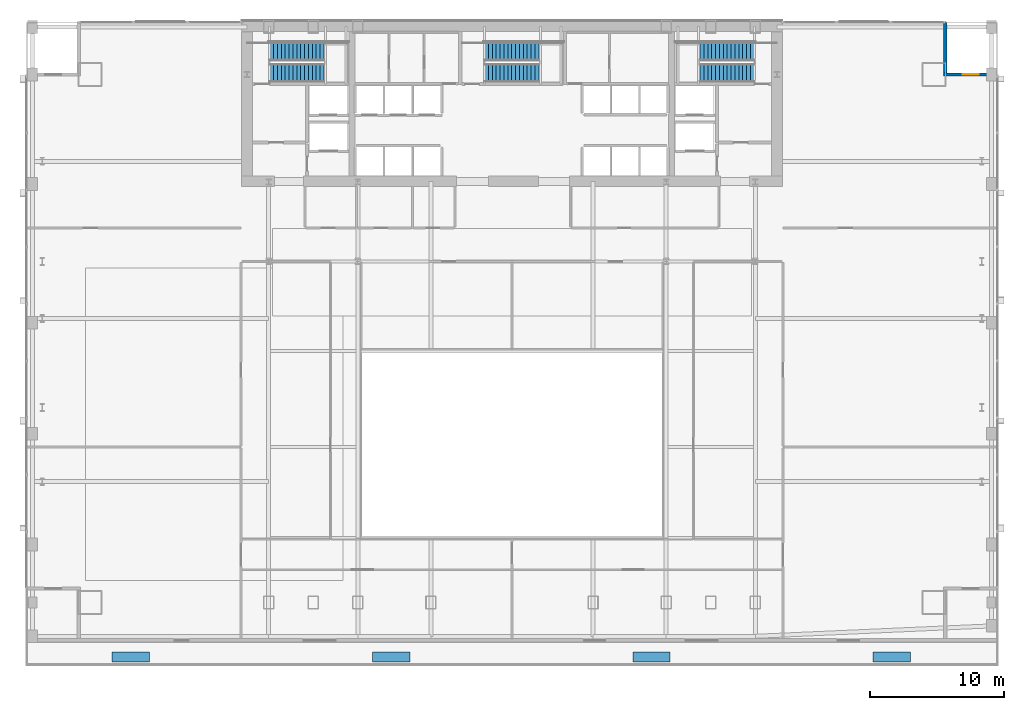
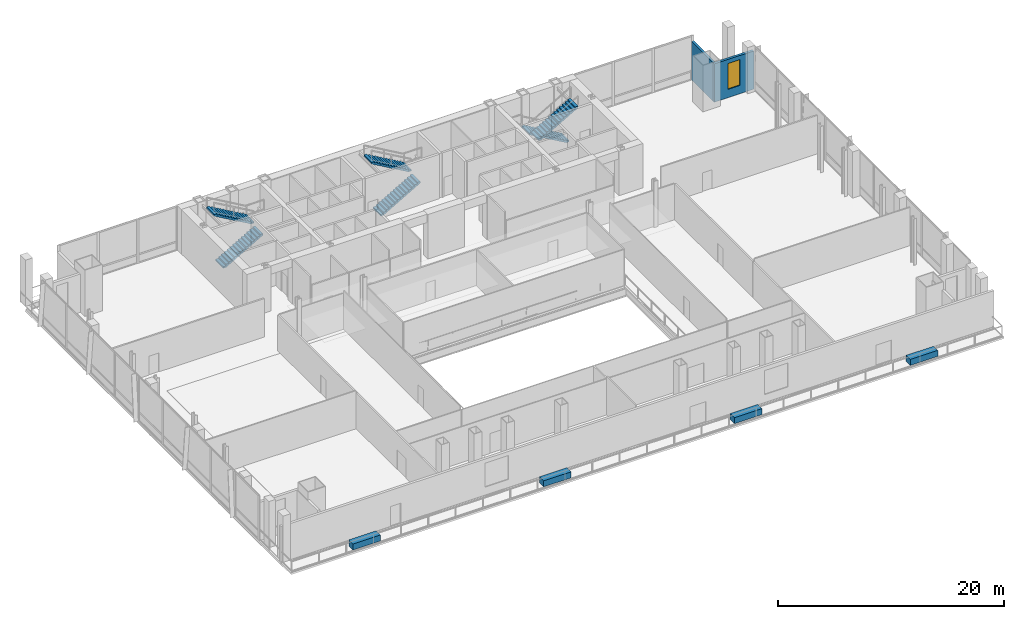
# One storey, part 22 of 25: 6 stair flights, 4 discrete accessories, 2 walls, 1 window, 1 opening, 3 elements without a shape of their own.
"""IFC4 building model written with IfcOpenShell, lengths in metres."""

from ifc_helpers import new_model, si_unit, direction, frame, frame_2d, origin, place, context, subcontext, project, spatial, polyline, rectangle, outline, extrude, material, layer, layer_set, type_object, element, fill, aggregate, save


model = new_model("IFC4")

# Units and contexts
model_context = context("Model", 3, precision=1e-05, world=origin(), true_north=direction((0.0, 1.0)))
body_context = subcontext(model_context, "Body", "Model", "MODEL_VIEW")
ifc_project = project(units=[si_unit("LENGTHUNIT", "METRE"), si_unit("AREAUNIT", "SQUARE_METRE"), si_unit("VOLUMEUNIT", "CUBIC_METRE"), si_unit("PLANEANGLEUNIT", "RADIAN"), si_unit("MASSUNIT", "GRAM", prefix="KILO")], contexts=[model_context])

# Site, building, storey
site_placement = place(None, origin())
site = spatial("IfcSite", under=ifc_project, at=site_placement, CompositionType="ELEMENT")
building_placement = place(site_placement, origin())
building = spatial("IfcBuilding", under=site, at=building_placement, Name="Khoronbel Lancet Exchange", CompositionType="ELEMENT")
storey_placement = place(building_placement, frame((0.0, 0.0, 10.39990234375)))
storey = spatial("IfcBuildingStorey", under=building, at=storey_placement, Name="L02", CompositionType="ELEMENT", Elevation=10.39990234375)

# Wall, opening, window
ifc_material_1 = material(Name="Precast concrete C40/50", Category="concrete")
ifc_layer = layer(ifc_material_1, 0.25, Name="Precast concrete C40/50")
ifc_layer_set = layer_set([ifc_layer], Name="Precast concrete C40/50")
wall_type = type_object("IfcWallType", Name="WL-EXT250", PredefinedType="SOLIDWALL", material=ifc_layer_set)
wall_1_placement = place(storey_placement, frame((68.77490234375, 49.699951171875, 0.0), z_axis=(0.0, 0.0, 1.0), x_axis=(1.0, 0.0, 0.0)))
wall_1 = element("IfcWall", 1, at=wall_1_placement, inside=storey, type_object=wall_type, Name="Level L02 corner notch exterior wall NEL2", PredefinedType="SOLIDWALL", context=body_context, shape_type="SweptSolid", body=[
    extrude(rectangle(XDim=4.045166015625, YDim=0.25, at=frame_2d((2.0224609375, 0.0))), origin(), (0.0, 0.0, 1.0), 4.14013671875),
])
opening_placement = place(wall_1_placement, frame((1.422607421875, 0.0, 0.89990234375)))
opening = element("IfcOpeningElement", 2, at=opening_placement, cuts=wall_1, Name="Opening W2", PredefinedType="OPENING", context=body_context, shape_type="SweptSolid", body=[
    extrude(rectangle(XDim=1.199951171875, YDim=2.800048828125, at=frame_2d((0.60009765625, 1.39990234375))), frame((0.0, 0.135009765625, 0.0), z_axis=(0.0, -1.0, 0.0), x_axis=(1.0, 0.0, 0.0)), (0.0, 0.0, 1.0), 0.27001953125),
])
ifc_material_2 = material(Name="Low-E Solar Control Insulating Glass", Category="glass")
window_type = type_object("IfcWindowType", Name="WIN-W2", PartitioningType="SINGLE_PANEL", PredefinedType="WINDOW", material=ifc_material_2)
window_placement = place(opening_placement, origin())
window = element("IfcWindow", 3, at=window_placement, inside=storey, type_object=window_type, Name="WIN-L02-NEL2", OverallHeight=2.800048828125, OverallWidth=1.199951171875, PartitioningType="SINGLE_PANEL", PredefinedType="WINDOW", context=body_context, shape_type="SweptSolid", body=[
    extrude(rectangle(XDim=1.199951171875, YDim=2.800048828125, at=frame_2d((0.60009765625, 1.39990234375))), frame((0.0, 0.030029296875, 0.0), z_axis=(0.0, -1.0, 0.0), x_axis=(1.0, 0.0, 0.0)), (0.0, 0.0, 1.0), 0.06005859375),
])
fill(opening, window)

# Wall
wall_2_placement = place(storey_placement, frame((68.89990234375, 53.6201171875, 0.0), z_axis=(0.0, 0.0, 1.0), x_axis=(0.0, -1.0, 0.0)))
element("IfcWall", 4, at=wall_2_placement, inside=storey, type_object=wall_type, Name="Level L02 corner notch exterior wall NEV2", PredefinedType="SOLIDWALL", context=body_context, shape_type="SweptSolid", body=[
    extrude(rectangle(XDim=3.795166015625, YDim=0.25, at=frame_2d((1.8974609375, 0.0))), origin(), (0.0, 0.0, 1.0), 4.14013671875),
])

# Stair, stair flights
ifc_material_3 = material(Name="Concrete C40/50", Category="concrete")
stair_type = type_object("IfcStairType", Name="STR-CORE150", PredefinedType="HALF_TURN_STAIR", material=ifc_material_3)
stair_1_placement = place(storey_placement, origin())
stair_1 = element("IfcStair", 5, at=stair_1_placement, inside=storey, type_object=stair_type, Name="L02 Protected Exit Stair ST1", PredefinedType="HALF_TURN_STAIR")
stair_flight_type = type_object("IfcStairFlightType", Name="STF-150", PredefinedType="STRAIGHT", material=ifc_material_3)
stair_flight_1_placement = place(storey_placement, frame((18.300048828125, 49.81005859375, 0.0), z_axis=(0.0, 0.0, 1.0), x_axis=(1.0, 0.0, 0.0)))
stair_flight_1 = element("IfcStairFlight", 6, at=stair_flight_1_placement, type_object=stair_flight_type, Name="ST1 flight 1", NumberOfRisers=15, NumberOfTreads=14, PredefinedType="STRAIGHT", RiserHeight=0.166666667, TreadLength=0.29, context=body_context, shape_type="SweptSolid", body=[
    extrude(outline(polyline([(0.0, 0.0), (0.0, 0.166748046875), (0.2900390625, 0.166748046875), (0.2900390625, 0.333251953125), (0.580078125, 0.333251953125), (0.580078125, 0.5), (0.8701171875, 0.5), (0.8701171875, 0.666748046875), (1.159912109375, 0.666748046875), (1.159912109375, 0.833251953125), (1.449951171875, 0.833251953125), (1.449951171875, 1.0), (1.739990234375, 1.0), (1.739990234375, 1.166748046875), (2.030029296875, 1.166748046875), (2.030029296875, 1.333251953125), (2.320068359375, 1.333251953125), (2.320068359375, 1.5), (2.610107421875, 1.5), (2.610107421875, 1.666748046875), (2.89990234375, 1.666748046875), (2.89990234375, 1.833251953125), (3.18994140625, 1.833251953125), (3.18994140625, 2.0), (3.47998046875, 2.0), (3.47998046875, 2.166748046875), (3.77001953125, 2.166748046875), (3.77001953125, 2.333251953125), (4.06005859375, 2.333251953125), (4.06005859375, 2.5), (4.06005859375, 2.160400390625), (0.30078125, 0.0), (0.0, 0.0)])), frame((0.0, 0.68994140625, 0.0), z_axis=(0.0, -1.0, 0.0), x_axis=(1.0, 0.0, 0.0)), (0.0, 0.0, 1.0), 1.3798828125),
])
stair_flight_2_placement = place(storey_placement, frame((22.360107421875, 51.409912109375, 2.5), z_axis=(0.0, 0.0, 1.0), x_axis=(-1.0, 0.0, 0.0)))
stair_flight_2 = element("IfcStairFlight", 7, at=stair_flight_2_placement, type_object=stair_flight_type, Name="ST1 flight 2", NumberOfRisers=15, NumberOfTreads=14, PredefinedType="STRAIGHT", RiserHeight=0.166666667, TreadLength=0.29, context=body_context, shape_type="SweptSolid", body=[
    extrude(outline(polyline([(0.0, 0.0), (0.0, 0.166748046875), (0.2900390625, 0.166748046875), (0.2900390625, 0.333251953125), (0.580078125, 0.333251953125), (0.580078125, 0.5), (0.8701171875, 0.5), (0.8701171875, 0.666748046875), (1.159912109375, 0.666748046875), (1.159912109375, 0.833251953125), (1.449951171875, 0.833251953125), (1.449951171875, 1.0), (1.739990234375, 1.0), (1.739990234375, 1.166748046875), (2.030029296875, 1.166748046875), (2.030029296875, 1.333251953125), (2.320068359375, 1.333251953125), (2.320068359375, 1.5), (2.610107421875, 1.5), (2.610107421875, 1.666748046875), (2.89990234375, 1.666748046875), (2.89990234375, 1.833251953125), (3.18994140625, 1.833251953125), (3.18994140625, 2.0), (3.47998046875, 2.0), (3.47998046875, 2.166748046875), (3.77001953125, 2.166748046875), (3.77001953125, 2.333251953125), (4.06005859375, 2.333251953125), (4.06005859375, 2.5), (4.06005859375, 2.160400390625), (0.30078125, 0.0), (0.0, 0.0)])), frame((0.0, 0.68994140625, 0.0), z_axis=(0.0, -1.0, 0.0), x_axis=(1.0, 0.0, 0.0)), (0.0, 0.0, 1.0), 1.3798828125),
])
aggregate(stair_1, [stair_flight_1, stair_flight_2])

stair_2_placement = place(storey_placement, origin())
stair_2 = element("IfcStair", 8, at=stair_2_placement, inside=storey, type_object=stair_type, Name="L02 Protected Exit Stair ST2", PredefinedType="HALF_TURN_STAIR")
stair_flight_3_placement = place(storey_placement, frame((54.60009765625, 51.409912109375, 0.0), z_axis=(0.0, 0.0, 1.0), x_axis=(-1.0, 0.0, 0.0)))
stair_flight_3 = element("IfcStairFlight", 9, at=stair_flight_3_placement, type_object=stair_flight_type, Name="ST2 flight 1", NumberOfRisers=15, NumberOfTreads=14, PredefinedType="STRAIGHT", RiserHeight=0.166666667, TreadLength=0.29, context=body_context, shape_type="SweptSolid", body=[
    extrude(outline(polyline([(0.0, 0.0), (0.0, 0.166748046875), (0.2900390625, 0.166748046875), (0.2900390625, 0.333251953125), (0.580078125, 0.333251953125), (0.580078125, 0.5), (0.8701171875, 0.5), (0.8701171875, 0.666748046875), (1.159912109375, 0.666748046875), (1.159912109375, 0.833251953125), (1.449951171875, 0.833251953125), (1.449951171875, 1.0), (1.739990234375, 1.0), (1.739990234375, 1.166748046875), (2.030029296875, 1.166748046875), (2.030029296875, 1.333251953125), (2.320068359375, 1.333251953125), (2.320068359375, 1.5), (2.610107421875, 1.5), (2.610107421875, 1.666748046875), (2.89990234375, 1.666748046875), (2.89990234375, 1.833251953125), (3.18994140625, 1.833251953125), (3.18994140625, 2.0), (3.47998046875, 2.0), (3.47998046875, 2.166748046875), (3.77001953125, 2.166748046875), (3.77001953125, 2.333251953125), (4.06005859375, 2.333251953125), (4.06005859375, 2.5), (4.06005859375, 2.160400390625), (0.30078125, 0.0), (0.0, 0.0)])), frame((0.0, 0.68994140625, 0.0), z_axis=(0.0, -1.0, 0.0), x_axis=(1.0, 0.0, 0.0)), (0.0, 0.0, 1.0), 1.3798828125),
])
stair_flight_4_placement = place(storey_placement, frame((50.5400390625, 49.81005859375, 2.5), z_axis=(0.0, 0.0, 1.0), x_axis=(1.0, 0.0, 0.0)))
stair_flight_4 = element("IfcStairFlight", 10, at=stair_flight_4_placement, type_object=stair_flight_type, Name="ST2 flight 2", NumberOfRisers=15, NumberOfTreads=14, PredefinedType="STRAIGHT", RiserHeight=0.166666667, TreadLength=0.29, context=body_context, shape_type="SweptSolid", body=[
    extrude(outline(polyline([(0.0, 0.0), (0.0, 0.166748046875), (0.2900390625, 0.166748046875), (0.2900390625, 0.333251953125), (0.580078125, 0.333251953125), (0.580078125, 0.5), (0.8701171875, 0.5), (0.8701171875, 0.666748046875), (1.159912109375, 0.666748046875), (1.159912109375, 0.833251953125), (1.449951171875, 0.833251953125), (1.449951171875, 1.0), (1.739990234375, 1.0), (1.739990234375, 1.166748046875), (2.030029296875, 1.166748046875), (2.030029296875, 1.333251953125), (2.320068359375, 1.333251953125), (2.320068359375, 1.5), (2.610107421875, 1.5), (2.610107421875, 1.666748046875), (2.89990234375, 1.666748046875), (2.89990234375, 1.833251953125), (3.18994140625, 1.833251953125), (3.18994140625, 2.0), (3.47998046875, 2.0), (3.47998046875, 2.166748046875), (3.77001953125, 2.166748046875), (3.77001953125, 2.333251953125), (4.06005859375, 2.333251953125), (4.06005859375, 2.5), (4.06005859375, 2.160400390625), (0.30078125, 0.0), (0.0, 0.0)])), frame((0.0, 0.68994140625, 0.0), z_axis=(0.0, -1.0, 0.0), x_axis=(1.0, 0.0, 0.0)), (0.0, 0.0, 1.0), 1.3798828125),
])
aggregate(stair_2, [stair_flight_3, stair_flight_4])

stair_3_placement = place(storey_placement, origin())
stair_3 = element("IfcStair", 11, at=stair_3_placement, inside=storey, type_object=stair_type, Name="L02 Protected Exit Stair ST3", PredefinedType="HALF_TURN_STAIR")
stair_flight_5_placement = place(storey_placement, frame((34.39990234375, 49.81005859375, 0.0), z_axis=(0.0, 0.0, 1.0), x_axis=(1.0, 0.0, 0.0)))
stair_flight_5 = element("IfcStairFlight", 12, at=stair_flight_5_placement, type_object=stair_flight_type, Name="ST3 flight 1", NumberOfRisers=15, NumberOfTreads=14, PredefinedType="STRAIGHT", RiserHeight=0.166666667, TreadLength=0.29, context=body_context, shape_type="SweptSolid", body=[
    extrude(outline(polyline([(0.0, 0.0), (0.0, 0.166748046875), (0.2900390625, 0.166748046875), (0.2900390625, 0.333251953125), (0.580078125, 0.333251953125), (0.580078125, 0.5), (0.8701171875, 0.5), (0.8701171875, 0.666748046875), (1.159912109375, 0.666748046875), (1.159912109375, 0.833251953125), (1.449951171875, 0.833251953125), (1.449951171875, 1.0), (1.739990234375, 1.0), (1.739990234375, 1.166748046875), (2.030029296875, 1.166748046875), (2.030029296875, 1.333251953125), (2.320068359375, 1.333251953125), (2.320068359375, 1.5), (2.610107421875, 1.5), (2.610107421875, 1.666748046875), (2.89990234375, 1.666748046875), (2.89990234375, 1.833251953125), (3.18994140625, 1.833251953125), (3.18994140625, 2.0), (3.47998046875, 2.0), (3.47998046875, 2.166748046875), (3.77001953125, 2.166748046875), (3.77001953125, 2.333251953125), (4.06005859375, 2.333251953125), (4.06005859375, 2.5), (4.06005859375, 2.160400390625), (0.30078125, 0.0), (0.0, 0.0)])), frame((0.0, 0.68994140625, 0.0), z_axis=(0.0, -1.0, 0.0), x_axis=(1.0, 0.0, 0.0)), (0.0, 0.0, 1.0), 1.3798828125),
])
stair_flight_6_placement = place(storey_placement, frame((38.4599609375, 51.409912109375, 2.5), z_axis=(0.0, 0.0, 1.0), x_axis=(-1.0, 0.0, 0.0)))
stair_flight_6 = element("IfcStairFlight", 13, at=stair_flight_6_placement, type_object=stair_flight_type, Name="ST3 flight 2", NumberOfRisers=15, NumberOfTreads=14, PredefinedType="STRAIGHT", RiserHeight=0.166666667, TreadLength=0.29, context=body_context, shape_type="SweptSolid", body=[
    extrude(outline(polyline([(0.0, 0.0), (0.0, 0.166748046875), (0.2900390625, 0.166748046875), (0.2900390625, 0.333251953125), (0.580078125, 0.333251953125), (0.580078125, 0.5), (0.8701171875, 0.5), (0.8701171875, 0.666748046875), (1.159912109375, 0.666748046875), (1.159912109375, 0.833251953125), (1.449951171875, 0.833251953125), (1.449951171875, 1.0), (1.739990234375, 1.0), (1.739990234375, 1.166748046875), (2.030029296875, 1.166748046875), (2.030029296875, 1.333251953125), (2.320068359375, 1.333251953125), (2.320068359375, 1.5), (2.610107421875, 1.5), (2.610107421875, 1.666748046875), (2.89990234375, 1.666748046875), (2.89990234375, 1.833251953125), (3.18994140625, 1.833251953125), (3.18994140625, 2.0), (3.47998046875, 2.0), (3.47998046875, 2.166748046875), (3.77001953125, 2.166748046875), (3.77001953125, 2.333251953125), (4.06005859375, 2.333251953125), (4.06005859375, 2.5), (4.06005859375, 2.160400390625), (0.30078125, 0.0), (0.0, 0.0)])), frame((0.0, 0.68994140625, 0.0), z_axis=(0.0, -1.0, 0.0), x_axis=(1.0, 0.0, 0.0)), (0.0, 0.0, 1.0), 1.3798828125),
])
aggregate(stair_3, [stair_flight_5, stair_flight_6])

# Discrete accessories
discrete_accessory_type = type_object("IfcDiscreteAccessoryType", Name="BLP-PLN1", PredefinedType="USERDEFINED", material=ifc_material_1)
discrete_accessory_1_placement = place(storey_placement, origin())
element("IfcDiscreteAccessory", 14, at=discrete_accessory_1_placement, inside=storey, type_object=discrete_accessory_type, Name="Level L02 irrigated terrace planter box 1", ObjectType="PLANTER", PredefinedType="USERDEFINED", context=body_context, shape_type="SweptSolid", body=[
    extrude(outline(polyline([(6.5, 5.699951171875), (9.300048828125, 5.699951171875), (9.300048828125, 6.449951171875), (6.5, 6.449951171875), (6.5, 5.699951171875)])), origin(), (0.0, 0.0, 1.0), 0.650146484375),
])
discrete_accessory_2_placement = place(storey_placement, origin())
element("IfcDiscreteAccessory", 15, at=discrete_accessory_2_placement, inside=storey, type_object=discrete_accessory_type, Name="Level L02 irrigated terrace planter box 2", ObjectType="PLANTER", PredefinedType="USERDEFINED", context=body_context, shape_type="SweptSolid", body=[
    extrude(outline(polyline([(26.0, 5.699951171875), (28.800048828125, 5.699951171875), (28.800048828125, 6.449951171875), (26.0, 6.449951171875), (26.0, 5.699951171875)])), origin(), (0.0, 0.0, 1.0), 0.650146484375),
])
discrete_accessory_3_placement = place(storey_placement, origin())
element("IfcDiscreteAccessory", 16, at=discrete_accessory_3_placement, inside=storey, type_object=discrete_accessory_type, Name="Level L02 irrigated terrace planter box 3", ObjectType="PLANTER", PredefinedType="USERDEFINED", context=body_context, shape_type="SweptSolid", body=[
    extrude(outline(polyline([(45.5, 5.699951171875), (48.300048828125, 5.699951171875), (48.300048828125, 6.449951171875), (45.5, 6.449951171875), (45.5, 5.699951171875)])), origin(), (0.0, 0.0, 1.0), 0.650146484375),
])
discrete_accessory_4_placement = place(storey_placement, origin())
element("IfcDiscreteAccessory", 17, at=discrete_accessory_4_placement, inside=storey, type_object=discrete_accessory_type, Name="Level L02 irrigated terrace planter box 4", ObjectType="PLANTER", PredefinedType="USERDEFINED", context=body_context, shape_type="SweptSolid", body=[
    extrude(outline(polyline([(63.5, 5.699951171875), (66.300048828125, 5.699951171875), (66.300048828125, 6.449951171875), (63.5, 6.449951171875), (63.5, 5.699951171875)])), origin(), (0.0, 0.0, 1.0), 0.650146484375),
])

save(model, "model.ifc")
